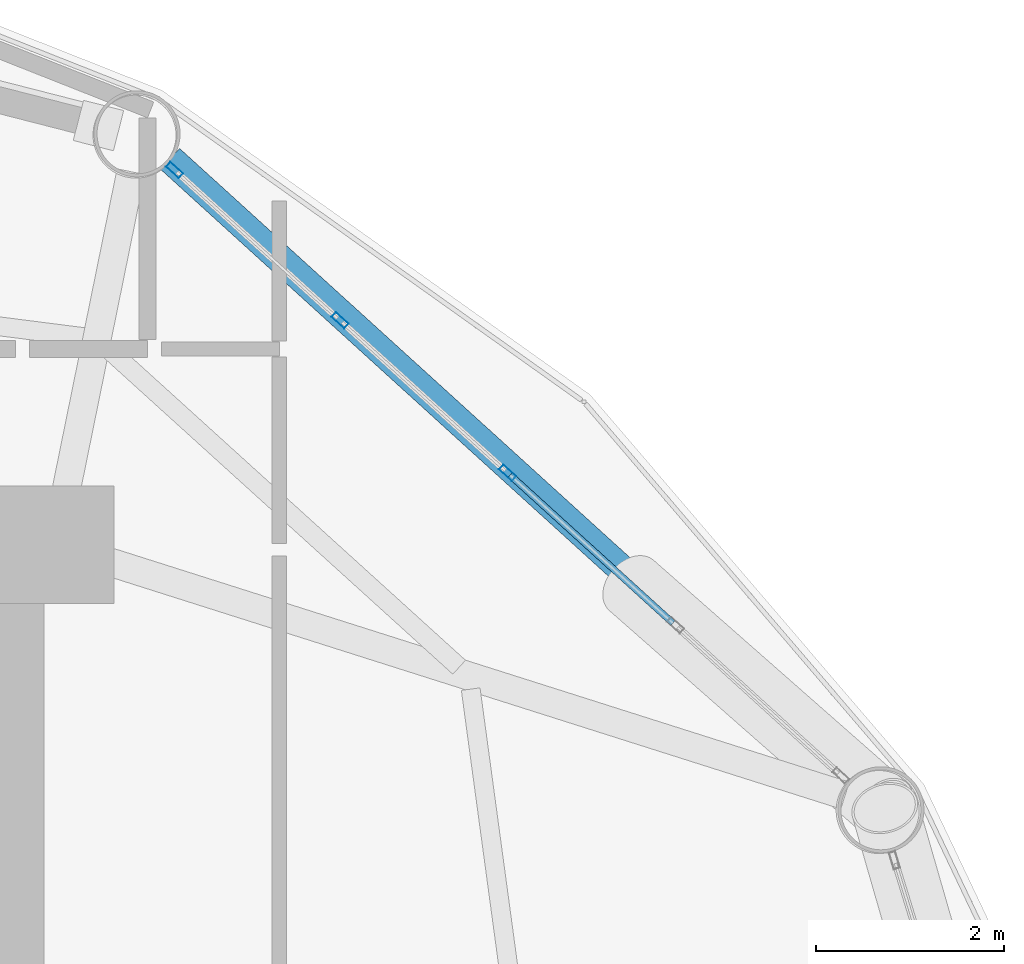
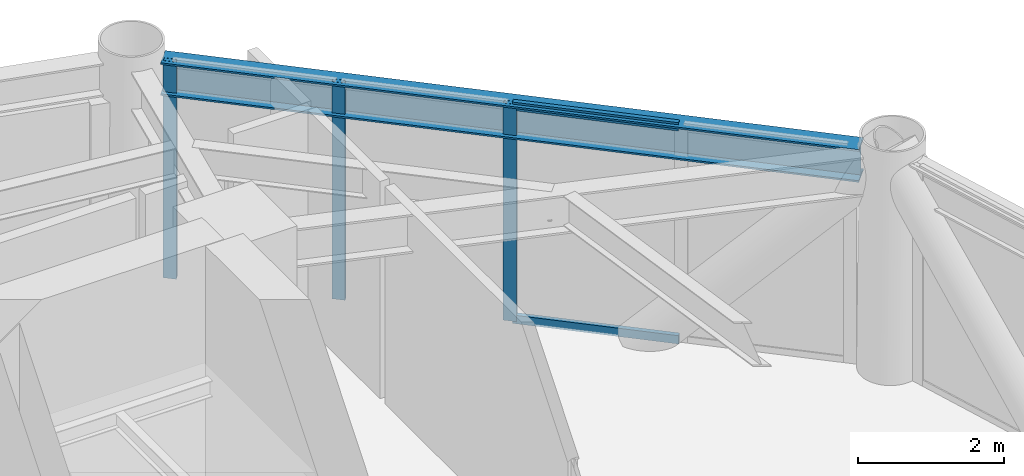
# One storey, part 18 of 25: 5 members, 1 beam, 1 element without a shape of its own.
"""IFC4 building model written with IfcOpenShell, lengths in metres."""

from ifc_helpers import new_model, si_unit, direction, frame, origin, origin_2d, place, context, subcontext, project, spatial, hollow_rectangle, i_section, extrude, material, layer, layer_set, material_profile, profile_set, type_object, element, aggregate, save


model = new_model("IFC4")

# Units and contexts
model_context = context("Model", 3, precision=1e-05, world=origin(), true_north=direction((0.0, 1.0)))
body_context = subcontext(model_context, "Body", "Model", "MODEL_VIEW")
ifc_project = project(units=[si_unit("LENGTHUNIT", "METRE"), si_unit("AREAUNIT", "SQUARE_METRE"), si_unit("VOLUMEUNIT", "CUBIC_METRE"), si_unit("PLANEANGLEUNIT", "RADIAN"), si_unit("MASSUNIT", "GRAM", prefix="KILO")], contexts=[model_context])

# Site, building, storey
site_placement = place(None, origin())
site = spatial("IfcSite", under=ifc_project, at=site_placement, CompositionType="ELEMENT")
building_placement = place(site_placement, origin())
building = spatial("IfcBuilding", under=site, at=building_placement, Name="Varnakorn Sky Granary", CompositionType="ELEMENT")
storey_placement = place(building_placement, frame((0.0, 0.0, 70.5)))
storey = spatial("IfcBuildingStorey", under=building, at=storey_placement, Name="L17", CompositionType="ELEMENT", Elevation=70.5)

# Beam
ifc_material_1 = material(Name="Steel S355JR", Category="steel")
ifc_material_profile_1 = material_profile(ifc_material_1, i_section(OverallWidth=0.300048828125, OverallDepth=0.550048828125, WebThickness=0.014892578125, FlangeThickness=0.029052734375, at=origin_2d()), Name="HE 550 B")
ifc_profile_set_1 = profile_set([ifc_material_profile_1], Name="Steel S355JR")
beam_type = type_object("IfcBeamType", Name="BM-SPD-Z1", PredefinedType="SPANDREL", material=ifc_profile_set_1)
beam_placement = place(storey_placement, frame((16.90234375, 10.1201171875, 3.364990234375), z_axis=(-0.740187749982, 0.672400248941, 0.0), x_axis=(-0.672400248941, -0.740187749982, 0.0)))
element("IfcBeam", 1, at=beam_placement, inside=storey, type_object=beam_type, Name="Perimeter Spandrel Ring Beam RB02 L17", PredefinedType="SPANDREL", context=body_context, shape_type="SweptSolid", body=[
    extrude(i_section(OverallWidth=0.300048828125, OverallDepth=0.550048828125, WebThickness=0.014892578125, FlangeThickness=0.029052734375, at=origin_2d()), origin(), (0.0, 0.0, 1.0), 9.810546875),
])

# Curtain wall, members
ifc_material_2 = material(Name="Anodised Bronze Aluminium Alloy 6063-T6", Category="aluminium")
ifc_layer = layer(ifc_material_2, 0.18994140625, Name="Anodised Bronze Aluminium Alloy 6063-T6")
ifc_layer_set = layer_set([ifc_layer], Name="Anodised Bronze Aluminium Alloy 6063-T6")
curtain_wall_type = type_object("IfcCurtainWallType", Name="CW-FRM-1", PredefinedType="USERDEFINED", material=ifc_layer_set)
curtain_wall_placement = place(storey_placement, origin())
curtain_wall = element("IfcCurtainWall", 2, at=curtain_wall_placement, inside=storey, type_object=curtain_wall_type, Name="Unitised Curtain Wall CW3 CW-L17-B02", ObjectType="CURTAIN WALL", PredefinedType="USERDEFINED")
ifc_material_profile_2 = material_profile(ifc_material_2, hollow_rectangle(XDim=0.070068359375, YDim=0.18505859375, WallThickness=0.00390625, at=origin_2d()), Name="ALU MULL 70x185")
ifc_profile_set_2 = profile_set([ifc_material_profile_2], Name="Anodised Bronze Aluminium Alloy 6063-T6")
member_type_1 = type_object("IfcMemberType", Name="CW-FRM-1-MULL", PredefinedType="MULLION", material=ifc_profile_set_2)
member_1_placement = place(storey_placement, frame((9.68798828125, 16.59765625, 0.0), z_axis=(0.0, 0.0, 1.0), x_axis=(0.672582331683, 0.740022301764, 0.0)))
member_1 = element("IfcMember", 3, at=member_1_placement, type_object=member_type_1, Name="CW3 mullion 1", PredefinedType="MULLION", context=body_context, shape_type="SweptSolid", body=[
    extrude(hollow_rectangle(XDim=0.070068359375, YDim=0.18505859375, WallThickness=0.00390625, at=origin_2d()), origin(), (0.0, 0.0, 1.0), 3.639892578125),
])
member_2_placement = place(storey_placement, frame((11.443603515625, 15.001953125, 0.0), z_axis=(0.0, 0.0, 1.0), x_axis=(0.672582331683, 0.740022301764, 0.0)))
member_2 = element("IfcMember", 4, at=member_2_placement, type_object=member_type_1, Name="CW3 mullion 2", PredefinedType="MULLION", context=body_context, shape_type="SweptSolid", body=[
    extrude(hollow_rectangle(XDim=0.070068359375, YDim=0.18505859375, WallThickness=0.00390625, at=origin_2d()), origin(), (0.0, 0.0, 1.0), 3.639892578125),
])
member_3_placement = place(storey_placement, frame((13.22509765625, 13.383056640625, 0.0), z_axis=(0.0, 0.0, 1.0), x_axis=(0.672582331683, 0.740022301764, 0.0)))
member_3 = element("IfcMember", 5, at=member_3_placement, type_object=member_type_1, Name="CW3 mullion 3", PredefinedType="MULLION", context=body_context, shape_type="SweptSolid", body=[
    extrude(hollow_rectangle(XDim=0.070068359375, YDim=0.18505859375, WallThickness=0.00390625, at=origin_2d()), origin(), (0.0, 0.0, 1.0), 3.639892578125),
])
ifc_material_profile_3 = material_profile(ifc_material_2, hollow_rectangle(XDim=0.070068359375, YDim=0.139892578125, WallThickness=0.00341796875, at=origin_2d()), Name="ALU TRAN 70x140")
ifc_profile_set_3 = profile_set([ifc_material_profile_3], Name="Anodised Bronze Aluminium Alloy 6063-T6")
member_type_2 = type_object("IfcMemberType", Name="CW-FRM-1-TRAN", PredefinedType="USERDEFINED", material=ifc_profile_set_3)
member_4_placement = place(storey_placement, frame((13.2509765625, 13.359375, 0.034912109375), z_axis=(0.740039317957, -0.672563608797, 0.0), x_axis=(0.672563608797, 0.740039317957, 0.0)))
member_4 = element("IfcMember", 6, at=member_4_placement, type_object=member_type_2, Name="CW3 transom 3.1", ObjectType="TRANSOM", PredefinedType="USERDEFINED", context=body_context, shape_type="SweptSolid", body=[
    extrude(hollow_rectangle(XDim=0.070068359375, YDim=0.139892578125, WallThickness=0.00341796875, at=origin_2d()), origin(), (0.0, 0.0, 1.0), 2.33740234375),
])
member_5_placement = place(storey_placement, frame((13.2509765625, 13.359375, 3.60498046875), z_axis=(0.740039317957, -0.672563608797, 0.0), x_axis=(0.672563608797, 0.740039317957, 0.0)))
member_5 = element("IfcMember", 7, at=member_5_placement, type_object=member_type_2, Name="CW3 transom 3.2", ObjectType="TRANSOM", PredefinedType="USERDEFINED", context=body_context, shape_type="SweptSolid", body=[
    extrude(hollow_rectangle(XDim=0.070068359375, YDim=0.139892578125, WallThickness=0.00341796875, at=origin_2d()), origin(), (0.0, 0.0, 1.0), 2.33740234375),
])
aggregate(curtain_wall, [member_1, member_2, member_3, member_4, member_5])

save(model, "model.ifc")
